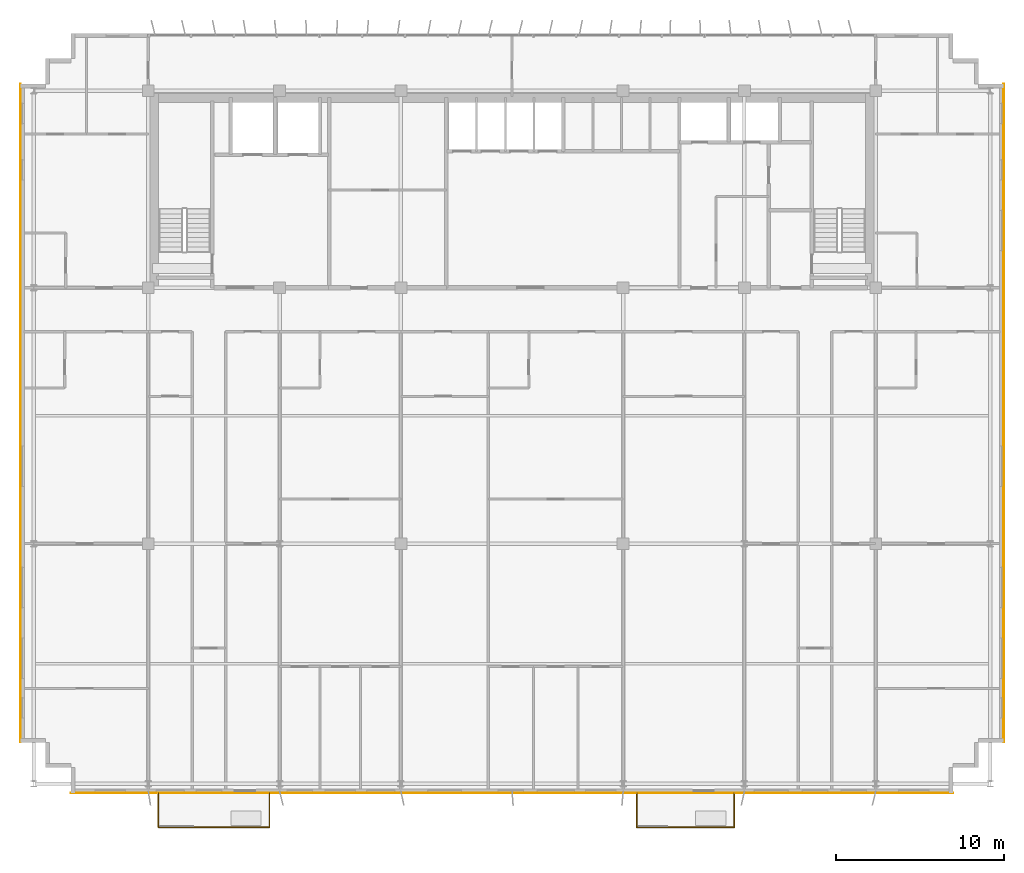
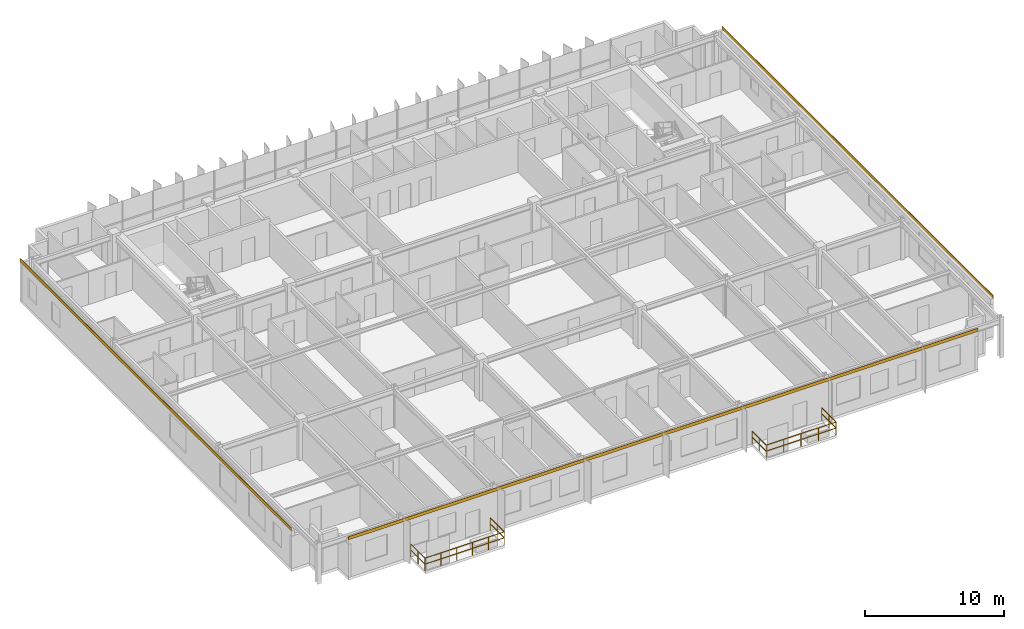
# One storey, part 22 of 23: 6 railings, 3 coverings.
"""IFC4 building model written with IfcOpenShell, lengths in metres."""

from ifc_helpers import new_model, si_unit, direction, frame, origin, origin_2d, place, context, subcontext, project, spatial, rectangle, extrude, source, transform, mapped, material, layer, layer_set, type_object, element, save


model = new_model("IFC4")

# Units and contexts
model_context = context("Model", 3, precision=1e-05, world=origin(), true_north=direction((0.0, 1.0)))
body_context = subcontext(model_context, "Body", "Model", "MODEL_VIEW")
ifc_project = project(units=[si_unit("LENGTHUNIT", "METRE"), si_unit("AREAUNIT", "SQUARE_METRE"), si_unit("VOLUMEUNIT", "CUBIC_METRE"), si_unit("PLANEANGLEUNIT", "RADIAN"), si_unit("MASSUNIT", "GRAM", prefix="KILO")], contexts=[model_context])

# Site, building, storey
site_placement = place(None, origin())
site = spatial("IfcSite", under=ifc_project, at=site_placement, CompositionType="ELEMENT")
building_placement = place(site_placement, origin())
building = spatial("IfcBuilding", under=site, at=building_placement, Name="Trelvane Seafront Commons", CompositionType="ELEMENT")
storey_placement = place(building_placement, frame((0.0, 0.0, 212.10009765625)))
storey = spatial("IfcBuildingStorey", under=building, at=storey_placement, Name="L55", CompositionType="ELEMENT", Elevation=212.10009765625)

# Railings
ifc_material_1 = material(Name="Stainless steel balustrade", Category="steel")
railing_type = type_object("IfcRailingType", Name="ARCH-RAIL-BAL1150", PredefinedType="BALUSTRADE", material=ifc_material_1)
railing_1_placement = place(storey_placement, frame((16.199951171875, 3.39990234375, 0.0)))
element("IfcRailing", 1, at=railing_1_placement, inside=storey, type_object=railing_type, Name="RL-L55-BAL0-01", PredefinedType="BALUSTRADE", context=body_context, shape_type="SweptSolid", body=[
    extrude(rectangle(XDim=0.048095703125, YDim=0.048095703125, at=origin_2d()), frame((0.0, 0.0, 1.1259765625), z_axis=(0.0, -1.0, 0.0), x_axis=(1.0, 0.0, 0.0)), (0.0, 0.0, 1.0), 2.039794921875),
    extrude(rectangle(XDim=0.048095703125, YDim=0.048095703125, at=origin_2d()), frame((0.0, 0.0, 0.597900390625), z_axis=(0.0, -1.0, 0.0), x_axis=(1.0, 0.0, 0.0)), (0.0, 0.0, 1.0), 2.039794921875),
    extrude(rectangle(XDim=0.0419921875, YDim=0.0419921875, at=origin_2d()), origin(), (0.0, 0.0, 1.0), 1.1259765625),
    extrude(rectangle(XDim=0.0419921875, YDim=0.0419921875, at=origin_2d()), frame((0.0, -1.02001953125, 0.0)), (0.0, 0.0, 1.0), 1.1259765625),
    extrude(rectangle(XDim=0.0419921875, YDim=0.0419921875, at=origin_2d()), frame((0.0, -2.039794921875, 0.0)), (0.0, 0.0, 1.0), 1.1259765625),
])
railing_2_placement = place(storey_placement, frame((16.199951171875, 1.360107421875, 0.0)))
element("IfcRailing", 2, at=railing_2_placement, inside=storey, type_object=railing_type, Name="RL-L55-BAL0-02", PredefinedType="BALUSTRADE", context=body_context, shape_type="SweptSolid", body=[
    extrude(rectangle(XDim=0.048095703125, YDim=0.048095703125, at=origin_2d()), frame((0.0, 0.0, 1.1259765625), z_axis=(1.0, 0.0, 0.0), x_axis=(0.0, 1.0, 0.0)), (0.0, 0.0, 1.0), 6.60009765625),
    extrude(rectangle(XDim=0.048095703125, YDim=0.048095703125, at=origin_2d()), frame((0.0, 0.0, 0.597900390625), z_axis=(1.0, 0.0, 0.0), x_axis=(0.0, 1.0, 0.0)), (0.0, 0.0, 1.0), 6.60009765625),
    extrude(rectangle(XDim=0.0419921875, YDim=0.0419921875, at=origin_2d()), origin(), (0.0, 0.0, 1.0), 1.1259765625),
    extrude(rectangle(XDim=0.0419921875, YDim=0.0419921875, at=origin_2d()), frame((1.320068359375, 0.0, 0.0)), (0.0, 0.0, 1.0), 1.1259765625),
    extrude(rectangle(XDim=0.0419921875, YDim=0.0419921875, at=origin_2d()), frame((2.64013671875, 0.0, 0.0)), (0.0, 0.0, 1.0), 1.1259765625),
    extrude(rectangle(XDim=0.0419921875, YDim=0.0419921875, at=origin_2d()), frame((3.9599609375, 0.0, 0.0)), (0.0, 0.0, 1.0), 1.1259765625),
    extrude(rectangle(XDim=0.0419921875, YDim=0.0419921875, at=origin_2d()), frame((5.280029296875, 0.0, 0.0)), (0.0, 0.0, 1.0), 1.1259765625),
    extrude(rectangle(XDim=0.0419921875, YDim=0.0419921875, at=origin_2d()), frame((6.60009765625, 0.0, 0.0)), (0.0, 0.0, 1.0), 1.1259765625),
])
railing_3_placement = place(storey_placement, frame((22.800048828125, 1.360107421875, 0.0)))
element("IfcRailing", 3, at=railing_3_placement, inside=storey, type_object=railing_type, Name="RL-L55-BAL0-03", PredefinedType="BALUSTRADE", context=body_context, shape_type="SweptSolid", body=[
    extrude(rectangle(XDim=0.048095703125, YDim=0.048095703125, at=origin_2d()), frame((0.0, 0.0, 1.1259765625), z_axis=(0.0, 1.0, 0.0), x_axis=(-1.0, 0.0, 0.0)), (0.0, 0.0, 1.0), 2.039794921875),
    extrude(rectangle(XDim=0.048095703125, YDim=0.048095703125, at=origin_2d()), frame((0.0, 0.0, 0.597900390625), z_axis=(0.0, 1.0, 0.0), x_axis=(-1.0, 0.0, 0.0)), (0.0, 0.0, 1.0), 2.039794921875),
    extrude(rectangle(XDim=0.0419921875, YDim=0.0419921875, at=origin_2d()), origin(), (0.0, 0.0, 1.0), 1.1259765625),
    extrude(rectangle(XDim=0.0419921875, YDim=0.0419921875, at=origin_2d()), frame((0.0, 1.02001953125, 0.0)), (0.0, 0.0, 1.0), 1.1259765625),
    extrude(rectangle(XDim=0.0419921875, YDim=0.0419921875, at=origin_2d()), frame((0.0, 2.039794921875, 0.0)), (0.0, 0.0, 1.0), 1.1259765625),
])
railing_4_placement = place(storey_placement, frame((44.60009765625, 3.39990234375, 0.0)))
element("IfcRailing", 4, at=railing_4_placement, inside=storey, type_object=railing_type, Name="RL-L55-BAL1-01", PredefinedType="BALUSTRADE", context=body_context, shape_type="SweptSolid", body=[
    extrude(rectangle(XDim=0.048095703125, YDim=0.048095703125, at=origin_2d()), frame((0.0, 0.0, 1.1259765625), z_axis=(0.0, -1.0, 0.0), x_axis=(1.0, 0.0, 0.0)), (0.0, 0.0, 1.0), 2.039794921875),
    extrude(rectangle(XDim=0.048095703125, YDim=0.048095703125, at=origin_2d()), frame((0.0, 0.0, 0.597900390625), z_axis=(0.0, -1.0, 0.0), x_axis=(1.0, 0.0, 0.0)), (0.0, 0.0, 1.0), 2.039794921875),
    extrude(rectangle(XDim=0.0419921875, YDim=0.0419921875, at=origin_2d()), origin(), (0.0, 0.0, 1.0), 1.1259765625),
    extrude(rectangle(XDim=0.0419921875, YDim=0.0419921875, at=origin_2d()), frame((0.0, -1.02001953125, 0.0)), (0.0, 0.0, 1.0), 1.1259765625),
    extrude(rectangle(XDim=0.0419921875, YDim=0.0419921875, at=origin_2d()), frame((0.0, -2.039794921875, 0.0)), (0.0, 0.0, 1.0), 1.1259765625),
])
railing_5_placement = place(storey_placement, frame((44.60009765625, 1.360107421875, 0.0)))
element("IfcRailing", 5, at=railing_5_placement, inside=storey, type_object=railing_type, Name="RL-L55-BAL1-02", PredefinedType="BALUSTRADE", context=body_context, shape_type="SweptSolid", body=[
    extrude(rectangle(XDim=0.048095703125, YDim=0.048095703125, at=origin_2d()), frame((0.0, 0.0, 1.1259765625), z_axis=(1.0, 0.0, 0.0), x_axis=(0.0, 1.0, 0.0)), (0.0, 0.0, 1.0), 5.7998046875),
    extrude(rectangle(XDim=0.048095703125, YDim=0.048095703125, at=origin_2d()), frame((0.0, 0.0, 0.597900390625), z_axis=(1.0, 0.0, 0.0), x_axis=(0.0, 1.0, 0.0)), (0.0, 0.0, 1.0), 5.7998046875),
    extrude(rectangle(XDim=0.0419921875, YDim=0.0419921875, at=origin_2d()), origin(), (0.0, 0.0, 1.0), 1.1259765625),
    extrude(rectangle(XDim=0.0419921875, YDim=0.0419921875, at=origin_2d()), frame((1.449951171875, 0.0, 0.0)), (0.0, 0.0, 1.0), 1.1259765625),
    extrude(rectangle(XDim=0.0419921875, YDim=0.0419921875, at=origin_2d()), frame((2.89990234375, 0.0, 0.0)), (0.0, 0.0, 1.0), 1.1259765625),
    extrude(rectangle(XDim=0.0419921875, YDim=0.0419921875, at=origin_2d()), frame((4.349853515625, 0.0, 0.0)), (0.0, 0.0, 1.0), 1.1259765625),
    extrude(rectangle(XDim=0.0419921875, YDim=0.0419921875, at=origin_2d()), frame((5.7998046875, 0.0, 0.0)), (0.0, 0.0, 1.0), 1.1259765625),
])
railing_6_placement = place(storey_placement, frame((50.39990234375, 1.360107421875, 0.0)))
element("IfcRailing", 6, at=railing_6_placement, inside=storey, type_object=railing_type, Name="RL-L55-BAL1-03", PredefinedType="BALUSTRADE", context=body_context, shape_type="SweptSolid", body=[
    extrude(rectangle(XDim=0.048095703125, YDim=0.048095703125, at=origin_2d()), frame((0.0, 0.0, 1.1259765625), z_axis=(0.0, 1.0, 0.0), x_axis=(-1.0, 0.0, 0.0)), (0.0, 0.0, 1.0), 2.039794921875),
    extrude(rectangle(XDim=0.048095703125, YDim=0.048095703125, at=origin_2d()), frame((0.0, 0.0, 0.597900390625), z_axis=(0.0, 1.0, 0.0), x_axis=(-1.0, 0.0, 0.0)), (0.0, 0.0, 1.0), 2.039794921875),
    extrude(rectangle(XDim=0.0419921875, YDim=0.0419921875, at=origin_2d()), origin(), (0.0, 0.0, 1.0), 1.1259765625),
    extrude(rectangle(XDim=0.0419921875, YDim=0.0419921875, at=origin_2d()), frame((0.0, 1.02001953125, 0.0)), (0.0, 0.0, 1.0), 1.1259765625),
    extrude(rectangle(XDim=0.0419921875, YDim=0.0419921875, at=origin_2d()), frame((0.0, 2.039794921875, 0.0)), (0.0, 0.0, 1.0), 1.1259765625),
])

# Coverings
ifc_material_2 = material(Name="Anodised pale-silver aluminium", Category="aluminium")
ifc_layer = layer(ifc_material_2, 0.034912109375, Name="ARCH-COV-CLAD35")
ifc_layer_set = layer_set([ifc_layer], Name="Anodised pale-silver aluminium")
covering_type = type_object("IfcCoveringType", Name="ARCH-COV-CLAD35", PredefinedType="CLADDING", material=ifc_layer_set)
shared_shape_1 = source(origin(), body_context, "Body", "SweptSolid", [
    extrude(rectangle(XDim=39.10009765625, YDim=0.034912109375, at=origin_2d()), origin(), (0.0, 0.0, 1.0), 0.280029296875),
])
for number, where, z_axis, x_axis, name in (
    (7, (8.0, 25.949951171875, 3.31982421875), (0.0, 0.0, 1.0), (0.0, 1.0, 0.0), "CLD-L55-00229"),
    (8, (66.39990234375, 25.949951171875, 3.31982421875), (0.0, 0.0, 1.0), (0.0, -1.0, 0.0), "CLD-L55-00230"),
):
    element("IfcCovering", number, at=place(storey_placement, frame(where, z_axis=z_axis, x_axis=x_axis)), inside=storey, type_object=covering_type, Name=name, PredefinedType="CLADDING", context=body_context, shape_type="MappedRepresentation", body=[
        mapped(shared_shape_1, transform((0.0, 0.0, 0.0), x_axis=(1.0, 0.0, 0.0), y_axis=(0.0, 1.0, 0.0), z_axis=(0.0, 0.0, 1.0), scale=1.0)),
    ])
shared_shape_2 = source(origin(), body_context, "Body", "SweptSolid", [
    extrude(rectangle(XDim=52.39990234375, YDim=0.034912109375, at=origin_2d()), origin(), (0.0, 0.0, 1.0), 0.280029296875),
])
covering_placement = place(storey_placement, frame((37.199951171875, 3.39990234375, 3.31982421875), z_axis=(0.0, 0.0, 1.0), x_axis=(-1.0, 0.0, 0.0)))
element("IfcCovering", 9, at=covering_placement, inside=storey, type_object=covering_type, Name="CLD-L55-00231", PredefinedType="CLADDING", context=body_context, shape_type="MappedRepresentation", body=[
    mapped(shared_shape_2, transform((0.0, 0.0, 0.0), x_axis=(1.0, 0.0, 0.0), y_axis=(0.0, 1.0, 0.0), z_axis=(0.0, 0.0, 1.0), scale=1.0)),
])

save(model, "model.ifc")
